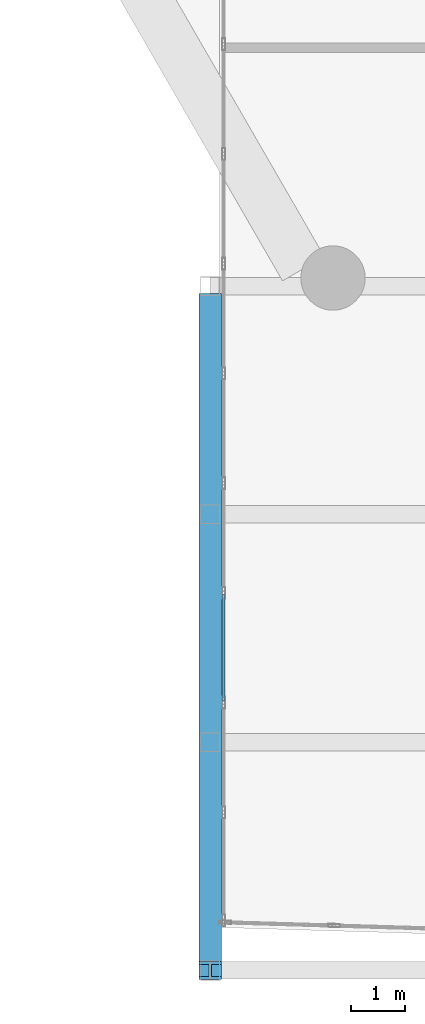
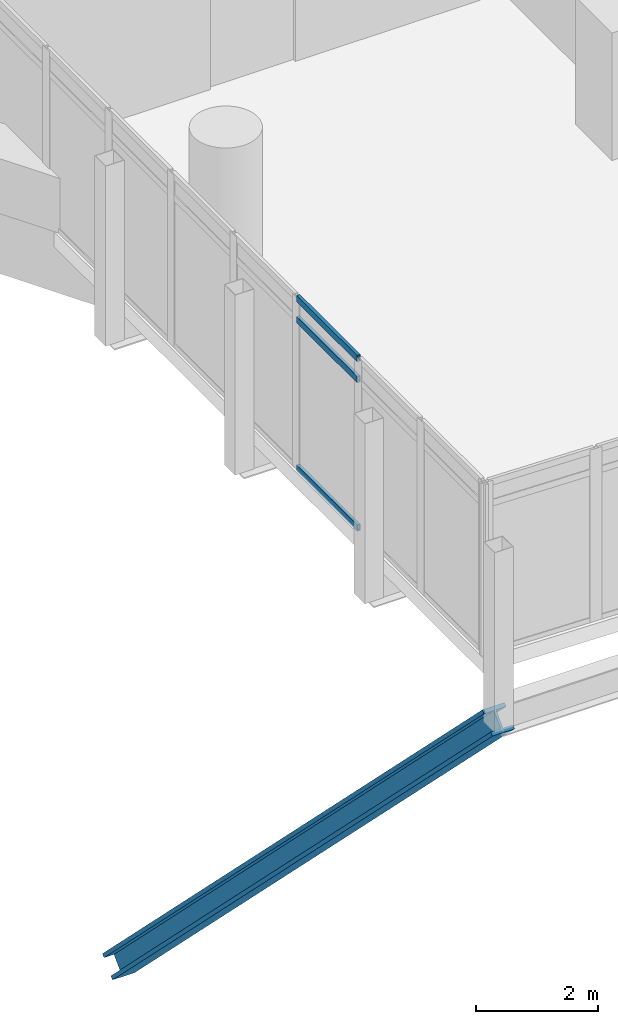
# One storey, part 3 of 37: 4 members, 1 element without a shape of its own.
"""IFC4 building model written with IfcOpenShell, lengths in metres."""

from ifc_helpers import new_model, si_unit, direction, frame, origin, origin_2d, place, context, subcontext, project, spatial, hollow_rectangle, i_section, extrude, material, material_profile, profile_set, type_object, element, aggregate, save


model = new_model("IFC4")

# Units and contexts
model_context = context("Model", 3, precision=1e-05, world=origin(), true_north=direction((0.0, 1.0)))
body_context = subcontext(model_context, "Body", "Model", "MODEL_VIEW")
ifc_project = project(units=[si_unit("LENGTHUNIT", "METRE"), si_unit("AREAUNIT", "SQUARE_METRE"), si_unit("VOLUMEUNIT", "CUBIC_METRE"), si_unit("PLANEANGLEUNIT", "RADIAN"), si_unit("MASSUNIT", "GRAM", prefix="KILO")], contexts=[model_context])

# Site, building, storey
site_placement = place(None, origin())
site = spatial("IfcSite", under=ifc_project, at=site_placement, CompositionType="ELEMENT")
building_placement = place(site_placement, origin())
building = spatial("IfcBuilding", under=site, at=building_placement, Name="Ostrander Bayou Hotel Tower", CompositionType="ELEMENT")
storey_placement = place(building_placement, frame((0.0, 0.0, 93.0)))
storey = spatial("IfcBuildingStorey", under=building, at=storey_placement, Name="L23", CompositionType="ELEMENT", Elevation=93.0)

# Curtain wall, members
ifc_material_1 = material(Name="Aluminium and clear glass", Category="aluminium")
curtain_wall_type = type_object("IfcCurtainWallType", Name="CW-BAR glazed wall", PredefinedType="NOTDEFINED", material=ifc_material_1)
curtain_wall_placement = place(storey_placement, origin())
curtain_wall = element("IfcCurtainWall", 1, at=curtain_wall_placement, inside=storey, type_object=curtain_wall_type, Name="CW-BAR L23:SB2S:E", PredefinedType="NOTDEFINED")
ifc_material_2 = material(Name="Aluminium", Category="aluminium")
ifc_material_profile_1 = material_profile(ifc_material_2, hollow_rectangle(XDim=0.06005859375, YDim=0.1298828125, WallThickness=0.00390625, at=origin_2d()))
ifc_profile_set_1 = profile_set([ifc_material_profile_1], Name="Aluminium")
member_type_1 = type_object("IfcMemberType", Name="CW-BR transom 60 x 130 mm", PredefinedType="USERDEFINED", material=ifc_profile_set_1)
member_1_placement = place(storey_placement, frame((-13.3671875, -25.19580078125, 0.030029296875), z_axis=(0.0, -1.0, 0.0), x_axis=(1.0, 0.0, 0.0)))
member_1 = element("IfcMember", 2, at=member_1_placement, type_object=member_type_1, Name="CW-BAR transom 8.1", ObjectType="TRANSOM", PredefinedType="USERDEFINED", context=body_context, shape_type="SweptSolid", body=[
    extrude(hollow_rectangle(XDim=0.06005859375, YDim=0.1298828125, WallThickness=0.00390625, at=origin_2d()), origin(), (0.0, 0.0, 1.0), 1.9853515625),
])
member_2_placement = place(storey_placement, frame((-13.3671875, -25.19580078125, 3.0), z_axis=(0.0, -1.0, 0.0), x_axis=(1.0, 0.0, 0.0)))
member_2 = element("IfcMember", 3, at=member_2_placement, type_object=member_type_1, Name="CW-BAR transom 8.2", ObjectType="TRANSOM", PredefinedType="USERDEFINED", context=body_context, shape_type="SweptSolid", body=[
    extrude(hollow_rectangle(XDim=0.06005859375, YDim=0.1298828125, WallThickness=0.00390625, at=origin_2d()), origin(), (0.0, 0.0, 1.0), 1.9853515625),
])
member_3_placement = place(storey_placement, frame((-13.3671875, -25.19580078125, 3.419921875), z_axis=(0.0, -1.0, 0.0), x_axis=(1.0, 0.0, 0.0)))
member_3 = element("IfcMember", 4, at=member_3_placement, type_object=member_type_1, Name="CW-BAR transom 8.3", ObjectType="TRANSOM", PredefinedType="USERDEFINED", context=body_context, shape_type="SweptSolid", body=[
    extrude(hollow_rectangle(XDim=0.06005859375, YDim=0.1298828125, WallThickness=0.00390625, at=origin_2d()), origin(), (0.0, 0.0, 1.0), 1.9853515625),
])
aggregate(curtain_wall, [member_1, member_2, member_3])

# Member
ifc_material_3 = material(Name="Steel ASTM A992", Category="steel")
ifc_material_profile_2 = material_profile(ifc_material_3, i_section(OverallWidth=0.42138671875, OverallDepth=0.464599609375, WebThickness=0.044921875, FlangeThickness=0.072509765625, at=origin_2d()))
ifc_profile_set_2 = profile_set([ifc_material_profile_2], Name="Steel ASTM A992")
member_type_2 = type_object("IfcMemberType", Name="TK1 bar kicker strut W14x398", PredefinedType="BRACE", material=ifc_profile_set_2)
member_4_placement = place(storey_placement, frame((-13.6201171875, -32.199951171875, -0.671875), z_axis=(0.0, 0.707765654512, -0.706447293358), x_axis=(-1.0, 0.0, 0.0)))
element("IfcMember", 5, at=member_4_placement, inside=storey, type_object=member_type_2, Name="TK1 SB2SA kicker", PredefinedType="BRACE", context=body_context, shape_type="SweptSolid", body=[
    extrude(i_section(OverallWidth=0.42138671875, OverallDepth=0.464599609375, WebThickness=0.044921875, FlangeThickness=0.072509765625, at=origin_2d()), origin(), (0.0, 0.0, 1.0), 17.592529296875),
])

save(model, "model.ifc")
